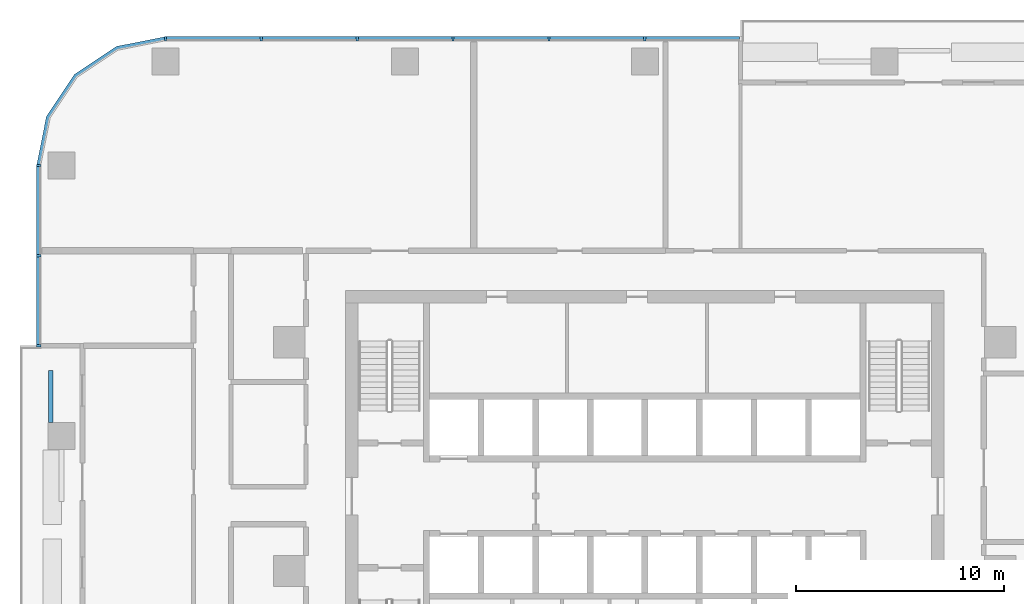
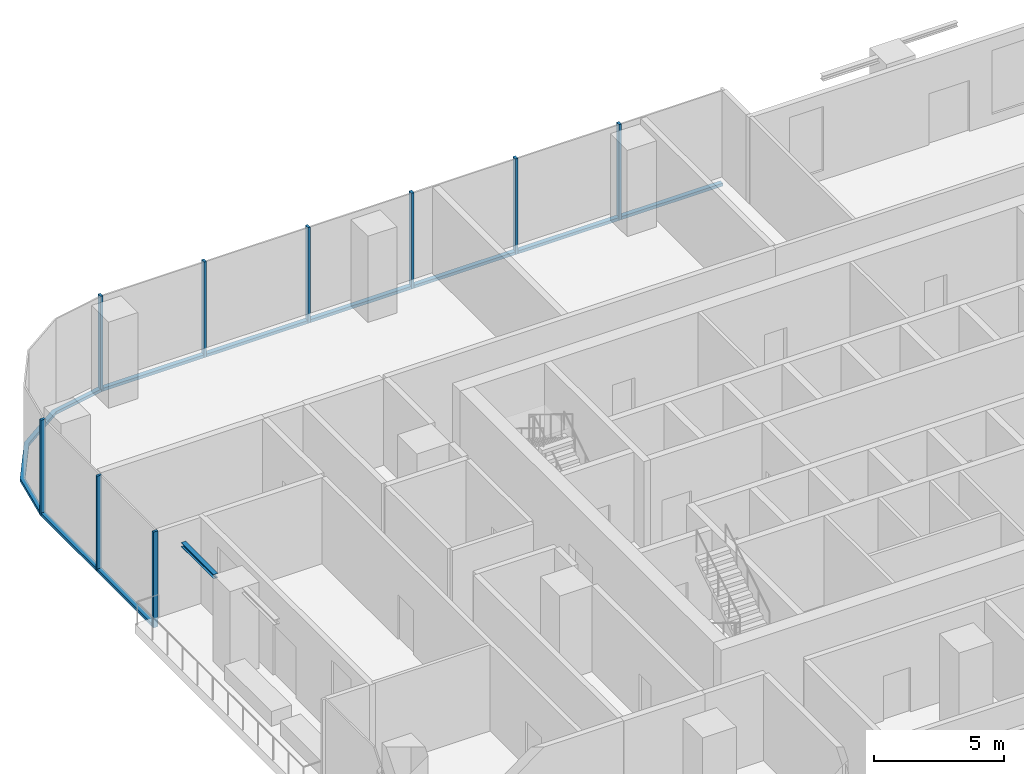
# One storey, part 4 of 15: 18 members, 1 beam, 3 elements without a shape of their own.
"""IFC4 building model written with IfcOpenShell, lengths in metres."""

import ifcopenshell
import ifcopenshell.guid

model = None  # the IFC model being written
_history = None  # IfcOwnerHistory: only IFC2X3 demands one
_inside = {}  # id of a spatial element -> (the spatial element, [elements in it])
_under = {}  # id of a project, library or spatial element -> (it, [spatial elements below it])
_declared = {}  # id of a project -> (the project, [libraries it declares])
_typed = {}  # id of a type object -> (the type object, [elements of that type])
_made_of = {}  # id of a material, layer set ... -> (it, [elements and type objects made of it])


def new_model(schema):
    """Start an empty IFC model of exactly this schema.

    Asked for "IFC4X3", IfcOpenShell would pick the latest addendum, in which some entities
    have other attributes; the version numbers below select the first issue.
    IFC2X3 requires an IfcOwnerHistory on every rooted entity: one is made here for all.
    """
    global model, _history
    if schema == "IFC4X3":
        model = ifcopenshell.file(schema_version=(4, 3, 0, 0))
    else:
        model = ifcopenshell.file(schema=schema)
    _inside.clear()
    _under.clear()
    _declared.clear()
    _typed.clear()
    _made_of.clear()
    _history = None
    if model.schema == "IFC2X3":
        org = make("IfcOrganization", Name="unknown")
        user = make(
            "IfcPersonAndOrganization",
            ThePerson=make("IfcPerson", FamilyName="unknown"),
            TheOrganization=org,
        )
        app = make(
            "IfcApplication",
            ApplicationDeveloper=org,
            Version="unknown",
            ApplicationFullName="unknown",
            ApplicationIdentifier="unknown",
        )
        _history = make(
            "IfcOwnerHistory",
            OwningUser=user,
            OwningApplication=app,
            ChangeAction="ADDED",
            CreationDate=0,
        )
    return model


def make(cls, **values):
    """One entity of the class cls with the attributes given. An attribute that is None is left unset."""
    return model.create_entity(
        cls, **{name: value for name, value in values.items() if value is not None}
    )


def rooted(cls, **values):
    """An entity with a GlobalId (a new one), such as an element, a storey or a relation."""
    return make(cls, GlobalId=ifcopenshell.guid.new(), OwnerHistory=_history, **values)


def si_unit(unit_type, name, prefix=None):
    """IfcSIUnit, for example si_unit("LENGTHUNIT", "METRE", prefix="MILLI")."""
    return make("IfcSIUnit", UnitType=unit_type, Prefix=prefix, Name=name)


def assignment(units):
    """IfcUnitAssignment: the units of a project."""
    return None if units is None else make("IfcUnitAssignment", Units=units)


def point(xyz):
    """IfcCartesianPoint."""
    return None if xyz is None else make("IfcCartesianPoint", Coordinates=xyz)


def direction(xyz):
    """IfcDirection."""
    return None if xyz is None else make("IfcDirection", DirectionRatios=xyz)


def frame(location, z_axis=None, x_axis=None):
    """IfcAxis2Placement3D, a coordinate frame: its origin and axes. An axis left out is left unset."""
    return make(
        "IfcAxis2Placement3D",
        Location=point(location),
        Axis=direction(z_axis),
        RefDirection=direction(x_axis),
    )


def frame_2d(location, x_axis=None):
    """IfcAxis2Placement2D, a coordinate frame in the plane: its origin and x axis."""
    return make(
        "IfcAxis2Placement2D", Location=point(location), RefDirection=direction(x_axis)
    )


def origin():
    """The frame at (0, 0, 0) with its axes left unset."""
    return frame((0.0, 0.0, 0.0))


def origin_2d():
    """The frame at (0, 0) in the plane with its x axis left unset."""
    return frame_2d((0.0, 0.0))


def place(relative_to, where):
    """IfcLocalPlacement: puts the frame where relative to a parent placement (None: the world)."""
    return make(
        "IfcLocalPlacement", PlacementRelTo=relative_to, RelativePlacement=where
    )


def context(
    kind, dimensions, precision=None, world=None, true_north=None, identifier=None
):
    """IfcGeometricRepresentationContext, for example the 3D "Model" context."""
    return make(
        "IfcGeometricRepresentationContext",
        ContextIdentifier=identifier,
        ContextType=kind,
        CoordinateSpaceDimension=dimensions,
        Precision=precision,
        WorldCoordinateSystem=world,
        TrueNorth=true_north,
    )


def subcontext(parent, identifier, kind, view, scale=None):
    """IfcGeometricRepresentationSubContext, for example "Body" below "Model"."""
    return make(
        "IfcGeometricRepresentationSubContext",
        ContextIdentifier=identifier,
        ContextType=kind,
        ParentContext=parent,
        TargetScale=scale,
        TargetView=view,
    )


def project(units=None, contexts=None):
    """IfcProject with its units and contexts."""
    return rooted(
        "IfcProject",
        Name="project",
        RepresentationContexts=contexts,
        UnitsInContext=assignment(units),
    )


def spatial(cls, under=None, at=None, **own):
    """A site, building, storey or space (cls), placed at a placement, below another one or the project."""
    s = rooted(cls, ObjectPlacement=at, **own)
    if under is not None:
        _under.setdefault(under.id(), (under, []))[1].append(s)
    return s


def polyline(points):
    """IfcPolyline through the points."""
    return make("IfcPolyline", Points=[point(p) for p in points])


def profile(cls, at=None, kind="AREA", **sizes):
    """A parametric profile (cls). Its sizes go by their IFC names, for example OverallWidth=200.0."""
    return make(cls, ProfileType=kind, Position=at, **sizes)


def rectangle(**sizes):
    """IfcRectangleProfileDef."""
    return profile("IfcRectangleProfileDef", **sizes)


def i_section(**sizes):
    """IfcIShapeProfileDef."""
    return profile("IfcIShapeProfileDef", **sizes)


def outline(outer, holes=None, kind="AREA"):
    """IfcArbitraryClosedProfileDef: a profile drawn as a closed curve; with holes, ...WithVoids."""
    if holes is None:
        return make("IfcArbitraryClosedProfileDef", ProfileType=kind, OuterCurve=outer)
    return make(
        "IfcArbitraryProfileDefWithVoids",
        ProfileType=kind,
        OuterCurve=outer,
        InnerCurves=holes,
    )


def extrude(swept, where, along, depth):
    """IfcExtrudedAreaSolid: the profile swept, set in the frame where, extruded along a direction by depth."""
    return make(
        "IfcExtrudedAreaSolid",
        SweptArea=swept,
        Position=where,
        ExtrudedDirection=direction(along),
        Depth=depth,
    )


def shape(context_of_items, identifier, shape_type, items):
    """IfcShapeRepresentation: the items that make up one representation, for example the "Body"."""
    return make(
        "IfcShapeRepresentation",
        ContextOfItems=context_of_items,
        RepresentationIdentifier=identifier,
        RepresentationType=shape_type,
        Items=items,
    )


def material(Name=None, Category=None):
    """IfcMaterial."""
    return make("IfcMaterial", Name=Name, Category=Category)


def material_profile(
    of_material, cross_section, Name=None, Category=None, Priority=None
):
    """IfcMaterialProfile: a cross section and its material."""
    return make(
        "IfcMaterialProfile",
        Name=Name,
        Material=of_material,
        Profile=cross_section,
        Priority=Priority,
        Category=Category,
    )


def profile_set(profiles, Name=None, composite=None):
    """IfcMaterialProfileSet."""
    return make(
        "IfcMaterialProfileSet",
        Name=Name,
        MaterialProfiles=profiles,
        CompositeProfile=composite,
    )


def made_of(thing, what):
    """Note that an element or type object is made of a material, layer set ...; save() writes the relation."""
    if what is not None:
        _made_of.setdefault(what.id(), (what, []))[1].append(thing)
    return thing


def type_object(cls, material=None, **own):
    """A type object (cls), such as IfcWallType, which elements share."""
    return made_of(rooted(cls, **own), material)


def element(
    cls,
    number,
    at=None,
    inside=None,
    cuts=None,
    type_object=None,
    material=None,
    context=None,
    identifier="Body",
    shape_type=None,
    held_by="IfcProductDefinitionShape",
    body=None,
    shapes=None,
    **own,
):
    """One element of the class cls, such as IfcWall. Its Tag is "e" and its number.

    at: its placement. inside: the storey or other place that contains it. cuts: it is an
    opening in that element (IfcRelVoidsElement). A single representation is given by context,
    identifier, shape_type and body (its items); several are given by shapes. held_by: the class
    of the entity that holds the representations. save() writes the other relations.
    """
    e = rooted(cls, Tag="e%d" % number, ObjectPlacement=at, **own)
    if body is not None:
        shapes = [shape(context, identifier, shape_type, body)]
    if shapes is not None:
        e.Representation = make(held_by, Representations=shapes)
    if inside is not None:
        _inside.setdefault(inside.id(), (inside, []))[1].append(e)
    if cuts is not None:
        rooted(
            "IfcRelVoidsElement", RelatingBuildingElement=cuts, RelatedOpeningElement=e
        )
    if type_object is not None:
        _typed.setdefault(type_object.id(), (type_object, []))[1].append(e)
    return made_of(e, material)


def aggregate(whole, parts):
    """IfcRelAggregates: a whole, such as a stair, and the parts it consists of."""
    return rooted("IfcRelAggregates", RelatingObject=whole, RelatedObjects=parts)


def save(model, path):
    """Write the relations noted so far, then the file.

    IfcRelAggregates (storeys below a building ...), IfcRelContainedInSpatialStructure (elements
    in a storey), IfcRelDefinesByType, IfcRelAssociatesMaterial and IfcRelDeclares: one each for
    every whole, place, type object, material and project.
    """
    for whole, parts in _under.values():
        aggregate(whole, parts)
    for where, things in _inside.values():
        rooted(
            "IfcRelContainedInSpatialStructure",
            RelatedElements=things,
            RelatingStructure=where,
        )
    for kind, things in _typed.values():
        rooted("IfcRelDefinesByType", RelatedObjects=things, RelatingType=kind)
    for what, things in _made_of.values():
        rooted("IfcRelAssociatesMaterial", RelatedObjects=things, RelatingMaterial=what)
    for by, libraries in _declared.values():
        rooted("IfcRelDeclares", RelatingContext=by, RelatedDefinitions=libraries)
    model.write(path)


model = new_model("IFC4")

# Units and contexts
model_context = context("Model", 3, precision=1e-05, world=origin(), true_north=direction((0.0, 1.0)))
body_context = subcontext(model_context, "Body", "Model", "MODEL_VIEW")
ifc_project = project(units=[si_unit("LENGTHUNIT", "METRE"), si_unit("AREAUNIT", "SQUARE_METRE"), si_unit("VOLUMEUNIT", "CUBIC_METRE"), si_unit("PLANEANGLEUNIT", "RADIAN"), si_unit("MASSUNIT", "GRAM", prefix="KILO")], contexts=[model_context])

# Site, building, storey
site_placement = place(None, origin())
site = spatial("IfcSite", under=ifc_project, at=site_placement, CompositionType="ELEMENT")
building_placement = place(site_placement, origin())
building = spatial("IfcBuilding", under=site, at=building_placement, Name="Mopane Tessera Tower", CompositionType="ELEMENT")
storey_placement = place(building_placement, frame((0.0, 0.0, 103.60009765625)))
storey = spatial("IfcBuildingStorey", under=building, at=storey_placement, Name="L20", CompositionType="ELEMENT", Elevation=103.60009765625)

# Curtain wall, members
ifc_material_1 = material(Name="Aluminium frame", Category="aluminium")
curtain_wall_type = type_object("IfcCurtainWallType", Name="Lower tower unitised wall", PredefinedType="NOTDEFINED", material=ifc_material_1)
curtain_wall_1_placement = place(storey_placement, origin())
curtain_wall_1 = element("IfcCurtainWall", 1, at=curtain_wall_1_placement, inside=storey, type_object=curtain_wall_type, Name="e:cw:L20:N:4", PredefinedType="NOTDEFINED")
ifc_material_2 = material(Name="Aluminium frame", Category="aluminium")
ifc_material_profile_1 = material_profile(ifc_material_2, rectangle(XDim=0.110107421875, YDim=0.199951171875, at=origin_2d()))
ifc_profile_set_1 = profile_set([ifc_material_profile_1], Name="Aluminium frame")
member_type_1 = type_object("IfcMemberType", Name="Aluminium mullion 110 x 200", PredefinedType="MULLION", material=ifc_profile_set_1)
member_1_placement = place(storey_placement, frame((0.0, 25.60009765625, -0.4501953125), z_axis=(0.0, 0.0, 1.0), x_axis=(-1.0, 0.0, 0.0)))
member_1 = element("IfcMember", 2, at=member_1_placement, type_object=member_type_1, Name="e:cw:L20:N:4:mu5", PredefinedType="MULLION", context=body_context, shape_type="SweptSolid", body=[
    extrude(rectangle(XDim=0.110107421875, YDim=0.199951171875, at=origin_2d()), origin(), (0.0, 0.0, 1.0), 4.5),
])
member_2_placement = place(storey_placement, frame((-4.610107421875, 25.60009765625, -0.4501953125), z_axis=(0.0, 0.0, 1.0), x_axis=(-1.0, 0.0, 0.0)))
member_2 = element("IfcMember", 3, at=member_2_placement, type_object=member_type_1, Name="e:cw:L20:N:4:mu6", PredefinedType="MULLION", context=body_context, shape_type="SweptSolid", body=[
    extrude(rectangle(XDim=0.110107421875, YDim=0.199951171875, at=origin_2d()), origin(), (0.0, 0.0, 1.0), 4.5),
])
member_3_placement = place(storey_placement, frame((-9.219970703125, 25.60009765625, -0.4501953125), z_axis=(0.0, 0.0, 1.0), x_axis=(-1.0, 0.0, 0.0)))
member_3 = element("IfcMember", 4, at=member_3_placement, type_object=member_type_1, Name="e:cw:L20:N:4:mu7", PredefinedType="MULLION", context=body_context, shape_type="SweptSolid", body=[
    extrude(rectangle(XDim=0.110107421875, YDim=0.199951171875, at=origin_2d()), origin(), (0.0, 0.0, 1.0), 4.5),
])
member_4_placement = place(storey_placement, frame((-13.830078125, 25.60009765625, -0.4501953125), z_axis=(0.0, 0.0, 1.0), x_axis=(-1.0, 0.0, 0.0)))
member_4 = element("IfcMember", 5, at=member_4_placement, type_object=member_type_1, Name="e:cw:L20:N:4:mu8", PredefinedType="MULLION", context=body_context, shape_type="SweptSolid", body=[
    extrude(rectangle(XDim=0.110107421875, YDim=0.199951171875, at=origin_2d()), origin(), (0.0, 0.0, 1.0), 4.5),
])
member_5_placement = place(storey_placement, frame((-18.43994140625, 25.60009765625, -0.4501953125), z_axis=(0.0, 0.0, 1.0), x_axis=(-1.0, 0.0, 0.0)))
member_5 = element("IfcMember", 6, at=member_5_placement, type_object=member_type_1, Name="e:cw:L20:N:4:mu9", PredefinedType="MULLION", context=body_context, shape_type="SweptSolid", body=[
    extrude(rectangle(XDim=0.110107421875, YDim=0.199951171875, at=origin_2d()), origin(), (0.0, 0.0, 1.0), 4.5),
])
member_6_placement = place(storey_placement, frame((-23.050048828125, 25.60009765625, -0.4501953125), z_axis=(0.0, 0.0, 1.0), x_axis=(-1.0, 0.0, 0.0)))
member_6 = element("IfcMember", 7, at=member_6_placement, type_object=member_type_1, Name="e:cw:L20:N:4:mu10", PredefinedType="MULLION", context=body_context, shape_type="SweptSolid", body=[
    extrude(rectangle(XDim=0.110107421875, YDim=0.199951171875, at=origin_2d()), origin(), (0.0, 0.0, 1.0), 4.5),
])

curtain_wall_2_placement = place(storey_placement, origin())
curtain_wall_2 = element("IfcCurtainWall", 8, at=curtain_wall_2_placement, inside=storey, type_object=curtain_wall_type, Name="e:cw:L20:W:0", PredefinedType="NOTDEFINED")
member_7_placement = place(storey_placement, frame((-29.14990234375, 19.5, -0.4501953125), z_axis=(0.0, 0.0, 1.0), x_axis=(0.0, -1.0, 0.0)))
member_7 = element("IfcMember", 9, at=member_7_placement, type_object=member_type_1, Name="e:cw:L20:W:0:mu0", PredefinedType="MULLION", context=body_context, shape_type="SweptSolid", body=[
    extrude(rectangle(XDim=0.110107421875, YDim=0.199951171875, at=origin_2d()), origin(), (0.0, 0.0, 1.0), 4.5),
])
member_8_placement = place(storey_placement, frame((-29.14990234375, 15.166748046875, -0.4501953125), z_axis=(0.0, 0.0, 1.0), x_axis=(0.0, -1.0, 0.0)))
member_8 = element("IfcMember", 10, at=member_8_placement, type_object=member_type_1, Name="e:cw:L20:W:0:mu1", PredefinedType="MULLION", context=body_context, shape_type="SweptSolid", body=[
    extrude(rectangle(XDim=0.110107421875, YDim=0.199951171875, at=origin_2d()), origin(), (0.0, 0.0, 1.0), 4.5),
])
member_9_placement = place(storey_placement, frame((-29.14990234375, 10.833251953125, -0.4501953125), z_axis=(0.0, 0.0, 1.0), x_axis=(0.0, -1.0, 0.0)))
member_9 = element("IfcMember", 11, at=member_9_placement, type_object=member_type_1, Name="e:cw:L20:W:0:mu2", PredefinedType="MULLION", context=body_context, shape_type="SweptSolid", body=[
    extrude(rectangle(XDim=0.110107421875, YDim=0.199951171875, at=origin_2d()), origin(), (0.0, 0.0, 1.0), 4.5),
])

# Member
ifc_material_3 = material(Name="Aluminium frame", Category="aluminium")
ifc_material_profile_2 = material_profile(ifc_material_3, rectangle(XDim=0.199951171875, YDim=0.139892578125, at=origin_2d()))
ifc_profile_set_2 = profile_set([ifc_material_profile_2], Name="Aluminium frame")
member_type_2 = type_object("IfcMemberType", Name="Aluminium transom 200 x 140", PredefinedType="USERDEFINED", material=ifc_profile_set_2)
member_10_placement = place(storey_placement, frame((4.554931640625, 25.60009765625, -0.380126953125), z_axis=(-1.0, 0.0, 0.0), x_axis=(0.0, -1.0, 0.0)))
member_10 = element("IfcMember", 12, at=member_10_placement, type_object=member_type_2, Name="e:cw:L20:N:4:tr4", ObjectType="TRANSOM", PredefinedType="USERDEFINED", context=body_context, shape_type="SweptSolid", body=[
    extrude(rectangle(XDim=0.199951171875, YDim=0.139892578125, at=origin_2d()), origin(), (0.0, 0.0, 1.0), 4.5),
])

member_11_placement = place(storey_placement, frame((-0.054931640625, 25.60009765625, -0.380126953125), z_axis=(-1.0, 0.0, 0.0), x_axis=(0.0, -1.0, 0.0)))
member_11 = element("IfcMember", 13, at=member_11_placement, type_object=member_type_2, Name="e:cw:L20:N:4:tr5", ObjectType="TRANSOM", PredefinedType="USERDEFINED", context=body_context, shape_type="SweptSolid", body=[
    extrude(rectangle(XDim=0.199951171875, YDim=0.139892578125, at=origin_2d()), origin(), (0.0, 0.0, 1.0), 4.5),
])

member_12_placement = place(storey_placement, frame((-4.6650390625, 25.60009765625, -0.380126953125), z_axis=(-1.0, 0.0, 0.0), x_axis=(0.0, -1.0, 0.0)))
member_12 = element("IfcMember", 14, at=member_12_placement, type_object=member_type_2, Name="e:cw:L20:N:4:tr6", ObjectType="TRANSOM", PredefinedType="USERDEFINED", context=body_context, shape_type="SweptSolid", body=[
    extrude(rectangle(XDim=0.199951171875, YDim=0.139892578125, at=origin_2d()), origin(), (0.0, 0.0, 1.0), 4.5),
])

member_13_placement = place(storey_placement, frame((-9.27490234375, 25.60009765625, -0.380126953125), z_axis=(-1.0, 0.0, 0.0), x_axis=(0.0, -1.0, 0.0)))
member_13 = element("IfcMember", 15, at=member_13_placement, type_object=member_type_2, Name="e:cw:L20:N:4:tr7", ObjectType="TRANSOM", PredefinedType="USERDEFINED", context=body_context, shape_type="SweptSolid", body=[
    extrude(rectangle(XDim=0.199951171875, YDim=0.139892578125, at=origin_2d()), origin(), (0.0, 0.0, 1.0), 4.5),
])

member_14_placement = place(storey_placement, frame((-13.885009765625, 25.60009765625, -0.380126953125), z_axis=(-1.0, 0.0, 0.0), x_axis=(0.0, -1.0, 0.0)))
member_14 = element("IfcMember", 16, at=member_14_placement, type_object=member_type_2, Name="e:cw:L20:N:4:tr8", ObjectType="TRANSOM", PredefinedType="USERDEFINED", context=body_context, shape_type="SweptSolid", body=[
    extrude(rectangle(XDim=0.199951171875, YDim=0.139892578125, at=origin_2d()), origin(), (0.0, 0.0, 1.0), 4.5),
])

member_15_placement = place(storey_placement, frame((-18.4951171875, 25.60009765625, -0.380126953125), z_axis=(-1.0, 0.0, 0.0), x_axis=(0.0, -1.0, 0.0)))
member_15 = element("IfcMember", 17, at=member_15_placement, type_object=member_type_2, Name="e:cw:L20:N:4:tr9", ObjectType="TRANSOM", PredefinedType="USERDEFINED", context=body_context, shape_type="SweptSolid", body=[
    extrude(rectangle(XDim=0.199951171875, YDim=0.139892578125, at=origin_2d()), origin(), (0.0, 0.0, 1.0), 4.5),
])

aggregate(curtain_wall_1, [member_1, member_2, member_3, member_4, member_5, member_6, member_10, member_11, member_12, member_13, member_14, member_15])

# Curtain wall, member
curtain_wall_3_placement = place(storey_placement, origin())
curtain_wall_3 = element("IfcCurtainWall", 18, at=curtain_wall_3_placement, inside=storey, type_object=curtain_wall_type, Name="e:cw:L20:CN", PredefinedType="NOTDEFINED")
member_16_placement = place(storey_placement, frame((0.0, 0.0, -0.4501953125)))
member_16 = element("IfcMember", 19, at=member_16_placement, type_object=member_type_2, Name="e:cw:L20:CN:tr", ObjectType="TRANSOM", PredefinedType="USERDEFINED", context=body_context, shape_type="SweptSolid", body=[
    extrude(outline(polyline([(-23.050048828125, 25.5), (-25.34619140625, 25.043212890625), (-27.292724609375, 23.74267578125), (-28.59326171875, 21.796142578125), (-29.050048828125, 19.5), (-29.25, 19.5), (-28.778076171875, 21.87255859375), (-27.43408203125, 23.884033203125), (-25.422607421875, 25.22802734375), (-23.050048828125, 25.699951171875), (-23.050048828125, 25.5)])), origin(), (0.0, 0.0, 1.0), 0.14013671875),
])
aggregate(curtain_wall_3, [member_16])

# Member
member_17_placement = place(storey_placement, frame((-29.14990234375, 19.445068359375, -0.380126953125), z_axis=(0.0, -1.0, 0.0), x_axis=(1.0, 0.0, 0.0)))
member_17 = element("IfcMember", 20, at=member_17_placement, type_object=member_type_2, Name="e:cw:L20:W:0:tr0", ObjectType="TRANSOM", PredefinedType="USERDEFINED", context=body_context, shape_type="SweptSolid", body=[
    extrude(rectangle(XDim=0.199951171875, YDim=0.139892578125, at=origin_2d()), origin(), (0.0, 0.0, 1.0), 4.223388671875),
])

member_18_placement = place(storey_placement, frame((-29.14990234375, 15.111572265625, -0.380126953125), z_axis=(0.0, -1.0, 0.0), x_axis=(1.0, 0.0, 0.0)))
member_18 = element("IfcMember", 21, at=member_18_placement, type_object=member_type_2, Name="e:cw:L20:W:0:tr1", ObjectType="TRANSOM", PredefinedType="USERDEFINED", context=body_context, shape_type="SweptSolid", body=[
    extrude(rectangle(XDim=0.199951171875, YDim=0.139892578125, at=origin_2d()), origin(), (0.0, 0.0, 1.0), 4.22314453125),
])

aggregate(curtain_wall_2, [member_7, member_8, member_9, member_17, member_18])

# Beam
ifc_material_4 = material(Name="Structural steel S460", Category="steel")
ifc_material_profile_3 = material_profile(ifc_material_4, i_section(OverallWidth=0.199951171875, OverallDepth=0.199951171875, WebThickness=0.009033203125, FlangeThickness=0.014892578125, FilletRadius=0.01806640625, at=origin_2d()))
ifc_profile_set_3 = profile_set([ifc_material_profile_3], Name="Structural steel S460")
beam_type = type_object("IfcBeamType", Name="Terrace trimmer beam HE 200 B", PredefinedType="BEAM", material=ifc_profile_set_3)
beam_placement = place(storey_placement, frame((-28.570068359375, 7.153076171875, 3.949951171875), z_axis=(0.0, 1.0, 0.0), x_axis=(-1.0, 0.0, 0.0)))
element("IfcBeam", 22, at=beam_placement, inside=storey, type_object=beam_type, Name="Terrace trimmer beam N2 L21", PredefinedType="BEAM", context=body_context, shape_type="SweptSolid", body=[
    extrude(i_section(OverallWidth=0.199951171875, OverallDepth=0.199951171875, WebThickness=0.009033203125, FlangeThickness=0.014892578125, FilletRadius=0.01806640625, at=origin_2d()), origin(), (0.0, 0.0, 1.0), 2.5),
])

save(model, "model.ifc")
